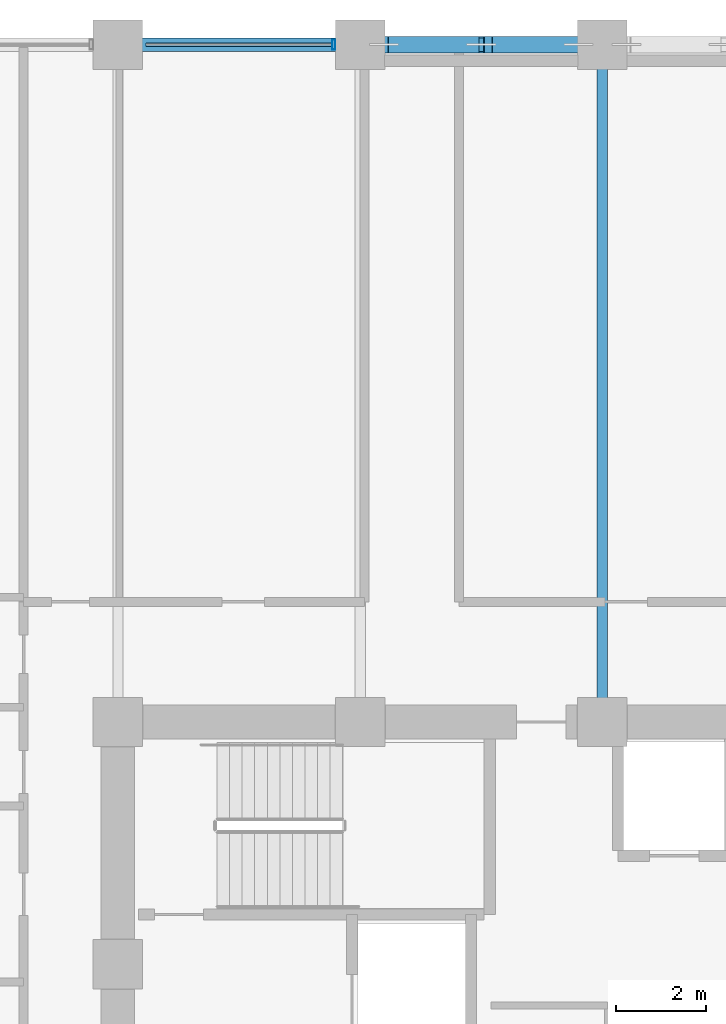
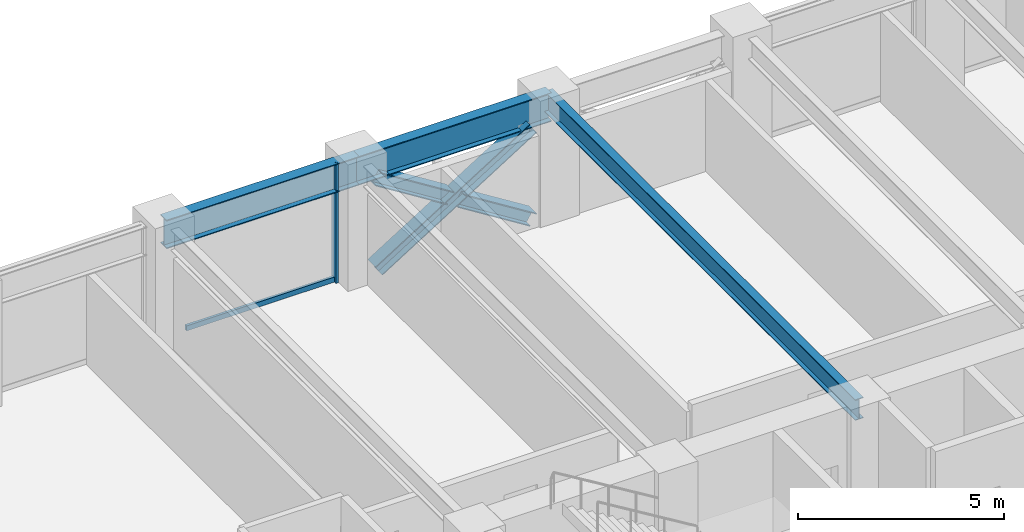
# One storey, part 13 of 25: 5 members, 3 beams, 1 element without a shape of its own.
"""IFC4 building model written with IfcOpenShell, lengths in metres."""

import ifcopenshell
import ifcopenshell.guid

model = None  # the IFC model being written
_history = None  # IfcOwnerHistory: only IFC2X3 demands one
_inside = {}  # id of a spatial element -> (the spatial element, [elements in it])
_under = {}  # id of a project, library or spatial element -> (it, [spatial elements below it])
_declared = {}  # id of a project -> (the project, [libraries it declares])
_typed = {}  # id of a type object -> (the type object, [elements of that type])
_made_of = {}  # id of a material, layer set ... -> (it, [elements and type objects made of it])


def new_model(schema):
    """Start an empty IFC model of exactly this schema.

    Asked for "IFC4X3", IfcOpenShell would pick the latest addendum, in which some entities
    have other attributes; the version numbers below select the first issue.
    IFC2X3 requires an IfcOwnerHistory on every rooted entity: one is made here for all.
    """
    global model, _history
    if schema == "IFC4X3":
        model = ifcopenshell.file(schema_version=(4, 3, 0, 0))
    else:
        model = ifcopenshell.file(schema=schema)
    _inside.clear()
    _under.clear()
    _declared.clear()
    _typed.clear()
    _made_of.clear()
    _history = None
    if model.schema == "IFC2X3":
        org = make("IfcOrganization", Name="unknown")
        user = make(
            "IfcPersonAndOrganization",
            ThePerson=make("IfcPerson", FamilyName="unknown"),
            TheOrganization=org,
        )
        app = make(
            "IfcApplication",
            ApplicationDeveloper=org,
            Version="unknown",
            ApplicationFullName="unknown",
            ApplicationIdentifier="unknown",
        )
        _history = make(
            "IfcOwnerHistory",
            OwningUser=user,
            OwningApplication=app,
            ChangeAction="ADDED",
            CreationDate=0,
        )
    return model


def make(cls, **values):
    """One entity of the class cls with the attributes given. An attribute that is None is left unset."""
    return model.create_entity(
        cls, **{name: value for name, value in values.items() if value is not None}
    )


def rooted(cls, **values):
    """An entity with a GlobalId (a new one), such as an element, a storey or a relation."""
    return make(cls, GlobalId=ifcopenshell.guid.new(), OwnerHistory=_history, **values)


def si_unit(unit_type, name, prefix=None):
    """IfcSIUnit, for example si_unit("LENGTHUNIT", "METRE", prefix="MILLI")."""
    return make("IfcSIUnit", UnitType=unit_type, Prefix=prefix, Name=name)


def assignment(units):
    """IfcUnitAssignment: the units of a project."""
    return None if units is None else make("IfcUnitAssignment", Units=units)


def point(xyz):
    """IfcCartesianPoint."""
    return None if xyz is None else make("IfcCartesianPoint", Coordinates=xyz)


def direction(xyz):
    """IfcDirection."""
    return None if xyz is None else make("IfcDirection", DirectionRatios=xyz)


def frame(location, z_axis=None, x_axis=None):
    """IfcAxis2Placement3D, a coordinate frame: its origin and axes. An axis left out is left unset."""
    return make(
        "IfcAxis2Placement3D",
        Location=point(location),
        Axis=direction(z_axis),
        RefDirection=direction(x_axis),
    )


def frame_2d(location, x_axis=None):
    """IfcAxis2Placement2D, a coordinate frame in the plane: its origin and x axis."""
    return make(
        "IfcAxis2Placement2D", Location=point(location), RefDirection=direction(x_axis)
    )


def origin():
    """The frame at (0, 0, 0) with its axes left unset."""
    return frame((0.0, 0.0, 0.0))


def origin_2d():
    """The frame at (0, 0) in the plane with its x axis left unset."""
    return frame_2d((0.0, 0.0))


def place(relative_to, where):
    """IfcLocalPlacement: puts the frame where relative to a parent placement (None: the world)."""
    return make(
        "IfcLocalPlacement", PlacementRelTo=relative_to, RelativePlacement=where
    )


def context(
    kind, dimensions, precision=None, world=None, true_north=None, identifier=None
):
    """IfcGeometricRepresentationContext, for example the 3D "Model" context."""
    return make(
        "IfcGeometricRepresentationContext",
        ContextIdentifier=identifier,
        ContextType=kind,
        CoordinateSpaceDimension=dimensions,
        Precision=precision,
        WorldCoordinateSystem=world,
        TrueNorth=true_north,
    )


def subcontext(parent, identifier, kind, view, scale=None):
    """IfcGeometricRepresentationSubContext, for example "Body" below "Model"."""
    return make(
        "IfcGeometricRepresentationSubContext",
        ContextIdentifier=identifier,
        ContextType=kind,
        ParentContext=parent,
        TargetScale=scale,
        TargetView=view,
    )


def project(units=None, contexts=None):
    """IfcProject with its units and contexts."""
    return rooted(
        "IfcProject",
        Name="project",
        RepresentationContexts=contexts,
        UnitsInContext=assignment(units),
    )


def spatial(cls, under=None, at=None, **own):
    """A site, building, storey or space (cls), placed at a placement, below another one or the project."""
    s = rooted(cls, ObjectPlacement=at, **own)
    if under is not None:
        _under.setdefault(under.id(), (under, []))[1].append(s)
    return s


def profile(cls, at=None, kind="AREA", **sizes):
    """A parametric profile (cls). Its sizes go by their IFC names, for example OverallWidth=200.0."""
    return make(cls, ProfileType=kind, Position=at, **sizes)


def hollow_rectangle(**sizes):
    """IfcRectangleHollowProfileDef."""
    return profile("IfcRectangleHollowProfileDef", **sizes)


def i_section(**sizes):
    """IfcIShapeProfileDef."""
    return profile("IfcIShapeProfileDef", **sizes)


def extrude(swept, where, along, depth):
    """IfcExtrudedAreaSolid: the profile swept, set in the frame where, extruded along a direction by depth."""
    return make(
        "IfcExtrudedAreaSolid",
        SweptArea=swept,
        Position=where,
        ExtrudedDirection=direction(along),
        Depth=depth,
    )


def shape(context_of_items, identifier, shape_type, items):
    """IfcShapeRepresentation: the items that make up one representation, for example the "Body"."""
    return make(
        "IfcShapeRepresentation",
        ContextOfItems=context_of_items,
        RepresentationIdentifier=identifier,
        RepresentationType=shape_type,
        Items=items,
    )


def material(Name=None, Category=None):
    """IfcMaterial."""
    return make("IfcMaterial", Name=Name, Category=Category)


def layer(
    of_material, thickness, ventilated=None, Name=None, Category=None, Priority=None
):
    """IfcMaterialLayer: one layer of a wall or slab, of a material (None: an air gap)."""
    return make(
        "IfcMaterialLayer",
        Material=of_material,
        LayerThickness=thickness,
        IsVentilated=ventilated,
        Name=Name,
        Category=Category,
        Priority=Priority,
    )


def layer_set(layers, Name=None):
    """IfcMaterialLayerSet."""
    return make("IfcMaterialLayerSet", MaterialLayers=layers, LayerSetName=Name)


def material_profile(
    of_material, cross_section, Name=None, Category=None, Priority=None
):
    """IfcMaterialProfile: a cross section and its material."""
    return make(
        "IfcMaterialProfile",
        Name=Name,
        Material=of_material,
        Profile=cross_section,
        Priority=Priority,
        Category=Category,
    )


def profile_set(profiles, Name=None, composite=None):
    """IfcMaterialProfileSet."""
    return make(
        "IfcMaterialProfileSet",
        Name=Name,
        MaterialProfiles=profiles,
        CompositeProfile=composite,
    )


def made_of(thing, what):
    """Note that an element or type object is made of a material, layer set ...; save() writes the relation."""
    if what is not None:
        _made_of.setdefault(what.id(), (what, []))[1].append(thing)
    return thing


def type_object(cls, material=None, **own):
    """A type object (cls), such as IfcWallType, which elements share."""
    return made_of(rooted(cls, **own), material)


def element(
    cls,
    number,
    at=None,
    inside=None,
    cuts=None,
    type_object=None,
    material=None,
    context=None,
    identifier="Body",
    shape_type=None,
    held_by="IfcProductDefinitionShape",
    body=None,
    shapes=None,
    **own,
):
    """One element of the class cls, such as IfcWall. Its Tag is "e" and its number.

    at: its placement. inside: the storey or other place that contains it. cuts: it is an
    opening in that element (IfcRelVoidsElement). A single representation is given by context,
    identifier, shape_type and body (its items); several are given by shapes. held_by: the class
    of the entity that holds the representations. save() writes the other relations.
    """
    e = rooted(cls, Tag="e%d" % number, ObjectPlacement=at, **own)
    if body is not None:
        shapes = [shape(context, identifier, shape_type, body)]
    if shapes is not None:
        e.Representation = make(held_by, Representations=shapes)
    if inside is not None:
        _inside.setdefault(inside.id(), (inside, []))[1].append(e)
    if cuts is not None:
        rooted(
            "IfcRelVoidsElement", RelatingBuildingElement=cuts, RelatedOpeningElement=e
        )
    if type_object is not None:
        _typed.setdefault(type_object.id(), (type_object, []))[1].append(e)
    return made_of(e, material)


def aggregate(whole, parts):
    """IfcRelAggregates: a whole, such as a stair, and the parts it consists of."""
    return rooted("IfcRelAggregates", RelatingObject=whole, RelatedObjects=parts)


def save(model, path):
    """Write the relations noted so far, then the file.

    IfcRelAggregates (storeys below a building ...), IfcRelContainedInSpatialStructure (elements
    in a storey), IfcRelDefinesByType, IfcRelAssociatesMaterial and IfcRelDeclares: one each for
    every whole, place, type object, material and project.
    """
    for whole, parts in _under.values():
        aggregate(whole, parts)
    for where, things in _inside.values():
        rooted(
            "IfcRelContainedInSpatialStructure",
            RelatedElements=things,
            RelatingStructure=where,
        )
    for kind, things in _typed.values():
        rooted("IfcRelDefinesByType", RelatedObjects=things, RelatingType=kind)
    for what, things in _made_of.values():
        rooted("IfcRelAssociatesMaterial", RelatedObjects=things, RelatingMaterial=what)
    for by, libraries in _declared.values():
        rooted("IfcRelDeclares", RelatingContext=by, RelatedDefinitions=libraries)
    model.write(path)


model = new_model("IFC4")

# Units and contexts
model_context = context("Model", 3, precision=1e-05, world=origin(), true_north=direction((0.0, 1.0)))
body_context = subcontext(model_context, "Body", "Model", "MODEL_VIEW")
ifc_project = project(units=[si_unit("LENGTHUNIT", "METRE"), si_unit("AREAUNIT", "SQUARE_METRE"), si_unit("VOLUMEUNIT", "CUBIC_METRE"), si_unit("PLANEANGLEUNIT", "RADIAN"), si_unit("MASSUNIT", "GRAM", prefix="KILO")], contexts=[model_context])

# Site, building, storey
site_placement = place(None, origin())
site = spatial("IfcSite", under=ifc_project, at=site_placement, CompositionType="ELEMENT")
building_placement = place(site_placement, origin())
building = spatial("IfcBuilding", under=site, at=building_placement, Name="Surkhivell Harbour Commons", CompositionType="ELEMENT")
storey_placement = place(building_placement, frame((0.0, 0.0, 109.5)))
storey = spatial("IfcBuildingStorey", under=building, at=storey_placement, Name="L28", CompositionType="ELEMENT", Elevation=109.5)

# Beams
ifc_material_1 = material(Name="Steel S355", Category="steel")
ifc_material_profile_1 = material_profile(ifc_material_1, i_section(OverallWidth=0.22998046875, OverallDepth=0.616943359375, WebThickness=0.01318359375, FlangeThickness=0.022216796875, at=origin_2d()), Name="UB610x229x140")
ifc_profile_set_1 = profile_set([ifc_material_profile_1], Name="Steel S355")
beam_type_1 = type_object("IfcBeamType", Name="BM-GRD-610B", PredefinedType="BEAM", material=ifc_profile_set_1)
beam_1_placement = place(storey_placement, frame((0.0, 10.800048828125, 3.261474609375), z_axis=(0.0, 1.0, 0.0), x_axis=(-1.0, 0.0, 0.0)))
element("IfcBeam", 1, at=beam_1_placement, inside=storey, type_object=beam_type_1, Name="L28 Floor Girder (0.0,10.8)", PredefinedType="BEAM", context=body_context, shape_type="SweptSolid", body=[
    extrude(i_section(OverallWidth=0.22998046875, OverallDepth=0.616943359375, WebThickness=0.01318359375, FlangeThickness=0.022216796875, at=origin_2d()), origin(), (0.0, 0.0, 1.0), 15.099853515625),
])
ifc_material_2 = material(Name="Steel S460", Category="steel")
ifc_material_profile_2 = material_profile(ifc_material_2, i_section(OverallWidth=0.2939453125, OverallDepth=0.85107421875, WebThickness=0.01611328125, FlangeThickness=0.02685546875, at=origin_2d()), Name="UB838x292x226")
ifc_profile_set_2 = profile_set([ifc_material_profile_2], Name="Steel S460")
beam_type_2 = type_object("IfcBeamType", Name="BM-SPN-838", PredefinedType="SPANDREL", material=ifc_profile_set_2)
beam_2_placement = place(storey_placement, frame((-10.800048828125, 25.89990234375, 3.14453125), z_axis=(1.0, 0.0, 0.0), x_axis=(0.0, 1.0, 0.0)))
element("IfcBeam", 2, at=beam_2_placement, inside=storey, type_object=beam_type_2, Name="L28 Tube Spandrel (-10.8,25.9)", PredefinedType="SPANDREL", context=body_context, shape_type="SweptSolid", body=[
    extrude(i_section(OverallWidth=0.2939453125, OverallDepth=0.85107421875, WebThickness=0.01611328125, FlangeThickness=0.02685546875, at=origin_2d()), origin(), (0.0, 0.0, 1.0), 5.400146484375),
])
beam_3_placement = place(storey_placement, frame((-5.39990234375, 25.89990234375, 3.14453125), z_axis=(1.0, 0.0, 0.0), x_axis=(0.0, 1.0, 0.0)))
element("IfcBeam", 3, at=beam_3_placement, inside=storey, type_object=beam_type_2, Name="L28 Tube Spandrel (-5.4,25.9)", PredefinedType="SPANDREL", context=body_context, shape_type="SweptSolid", body=[
    extrude(i_section(OverallWidth=0.2939453125, OverallDepth=0.85107421875, WebThickness=0.01611328125, FlangeThickness=0.02685546875, at=origin_2d()), origin(), (0.0, 0.0, 1.0), 5.39990234375),
])

# Curtain wall, members
ifc_material_3 = material(Name="Anodised pale-metal aluminium and insulated glazing", Category="aluminium")
ifc_layer = layer(ifc_material_3, 0.205078125)
ifc_layer_set = layer_set([ifc_layer], Name="Anodised pale-metal aluminium and insulated glazing")
curtain_wall_type = type_object("IfcCurtainWallType", Name="CW-SYS-Z2", PredefinedType="NOTDEFINED", material=ifc_layer_set)
curtain_wall_placement = place(storey_placement, origin())
curtain_wall = element("IfcCurtainWall", 4, at=curtain_wall_placement, inside=storey, type_object=curtain_wall_type, Name="L28 Curtain Wall CW-L28-E07S2", PredefinedType="NOTDEFINED")
ifc_material_4 = material(Name="Anodised pale-metal aluminium alloy 6063-T6", Category="aluminium")
ifc_material_profile_3 = material_profile(ifc_material_4, hollow_rectangle(XDim=0.074951171875, YDim=0.219970703125, WallThickness=0.00390625, at=origin_2d()), Name="ALU-MULL-75x220")
ifc_profile_set_3 = profile_set([ifc_material_profile_3], Name="Anodised pale-metal aluminium alloy 6063-T6")
member_type_1 = type_object("IfcMemberType", Name="CWM-220", PredefinedType="MULLION", material=ifc_profile_set_3)
member_1_placement = place(storey_placement, frame((-5.989501953125, 25.89990234375, 0.0), z_axis=(0.0, 0.0, 1.0), x_axis=(-1.0, 0.0, 0.0)))
member_1 = element("IfcMember", 5, at=member_1_placement, type_object=member_type_1, Name="CW-Z2 mullion 1", PredefinedType="MULLION", context=body_context, shape_type="SweptSolid", body=[
    extrude(hollow_rectangle(XDim=0.074951171875, YDim=0.219970703125, WallThickness=0.00390625, at=origin_2d()), origin(), (0.0, 0.0, 1.0), 3.570068359375),
])
ifc_material_profile_4 = material_profile(ifc_material_4, hollow_rectangle(XDim=0.074951171875, YDim=0.14990234375, WallThickness=0.00341796875, at=origin_2d()), Name="ALU-TRAN-75x150")
ifc_profile_set_4 = profile_set([ifc_material_profile_4], Name="Anodised pale-metal aluminium alloy 6063-T6")
member_type_2 = type_object("IfcMemberType", Name="CWT-150", PredefinedType="USERDEFINED", material=ifc_profile_set_4)
member_2_placement = place(storey_placement, frame((-6.027099609375, 25.89990234375, 0.074951171875), z_axis=(-1.0, 0.0, 0.0), x_axis=(0.0, -1.0, 0.0)))
member_2 = element("IfcMember", 6, at=member_2_placement, type_object=member_type_2, Name="CW-Z2 transom 1.1", ObjectType="TRANSOM", PredefinedType="USERDEFINED", context=body_context, shape_type="SweptSolid", body=[
    extrude(hollow_rectangle(XDim=0.074951171875, YDim=0.14990234375, WallThickness=0.00341796875, at=origin_2d()), origin(), (0.0, 0.0, 1.0), 4.14599609375),
])
aggregate(curtain_wall, [member_1, member_2])

# Members
ifc_material_profile_5 = material_profile(ifc_material_2, i_section(OverallWidth=0.375, OverallDepth=0.375, WebThickness=0.0166015625, FlangeThickness=0.027099609375, at=origin_2d()), Name="UC356x368x202")
ifc_profile_set_5 = profile_set([ifc_material_profile_5], Name="Steel S460")
member_type_3 = type_object("IfcMemberType", Name="MEM-BRC-UC356", PredefinedType="BRACE", material=ifc_profile_set_5)
member_3_placement = place(storey_placement, frame((-4.864990234375, 25.89990234375, 0.008056640625), z_axis=(0.847246015888, 0.0, 0.531200704594), x_axis=(0.0, 1.0, 0.0)))
element("IfcMember", 7, at=member_3_placement, inside=storey, type_object=member_type_3, Name="L28 Perimeter Mega-Brace MB- 01", PredefinedType="BRACE", context=body_context, shape_type="SweptSolid", body=[
    extrude(i_section(OverallWidth=0.375, OverallDepth=0.375, WebThickness=0.0166015625, FlangeThickness=0.027099609375, at=origin_2d()), origin(), (0.0, 0.0, 1.0), 5.11083984375),
])
member_4_placement = place(storey_placement, frame((-0.534912109375, 25.89990234375, 0.008056640625), z_axis=(-0.8472353132, 0.0, 0.531217774615), x_axis=(0.0, -1.0, 0.0)))
element("IfcMember", 8, at=member_4_placement, inside=storey, type_object=member_type_3, Name="L28 Perimeter Mega-Brace MB- 02", PredefinedType="BRACE", context=body_context, shape_type="SweptSolid", body=[
    extrude(i_section(OverallWidth=0.375, OverallDepth=0.375, WebThickness=0.0166015625, FlangeThickness=0.027099609375, at=origin_2d()), origin(), (0.0, 0.0, 1.0), 2.37548828125),
])
member_5_placement = place(storey_placement, frame((-2.8525390625, 25.89990234375, 1.461181640625), z_axis=(-0.84725256761, 0.0, 0.53119025469), x_axis=(0.0, -1.0, 0.0)))
element("IfcMember", 9, at=member_5_placement, inside=storey, type_object=member_type_3, Name="L28 Perimeter Mega-Brace MB- 03", PredefinedType="BRACE", context=body_context, shape_type="SweptSolid", body=[
    extrude(i_section(OverallWidth=0.375, OverallDepth=0.375, WebThickness=0.0166015625, FlangeThickness=0.027099609375, at=origin_2d()), origin(), (0.0, 0.0, 1.0), 2.375244140625),
])

save(model, "model.ifc")
